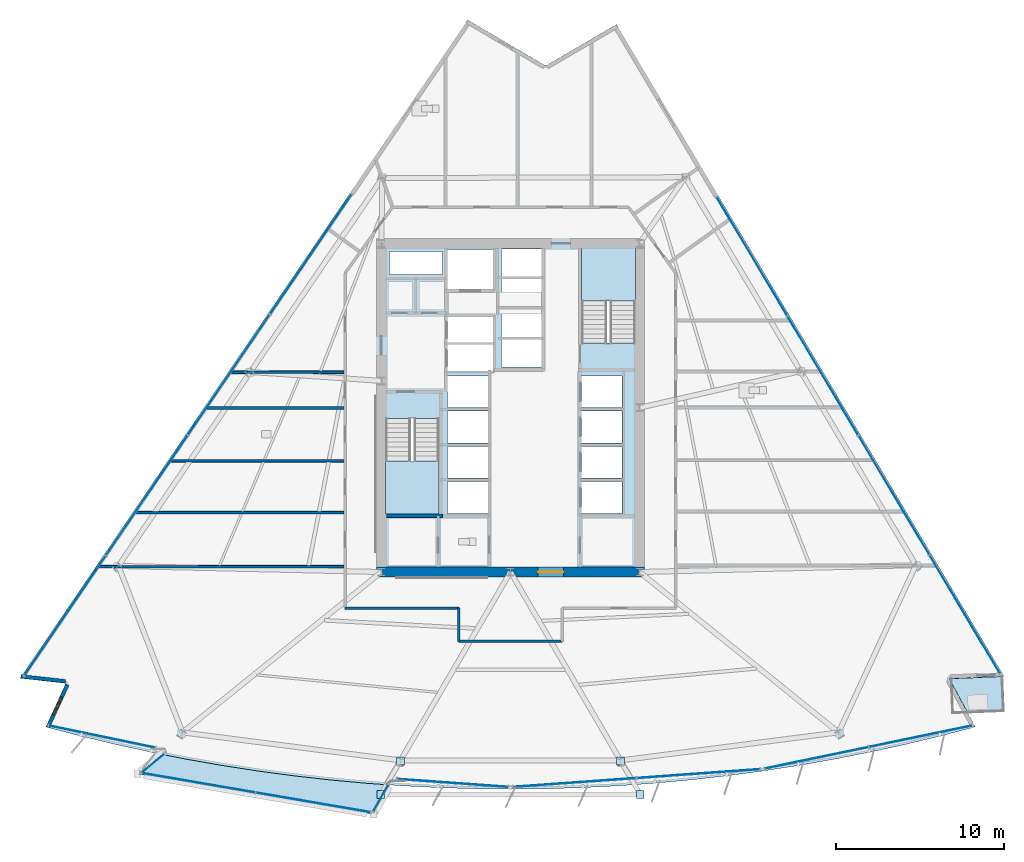
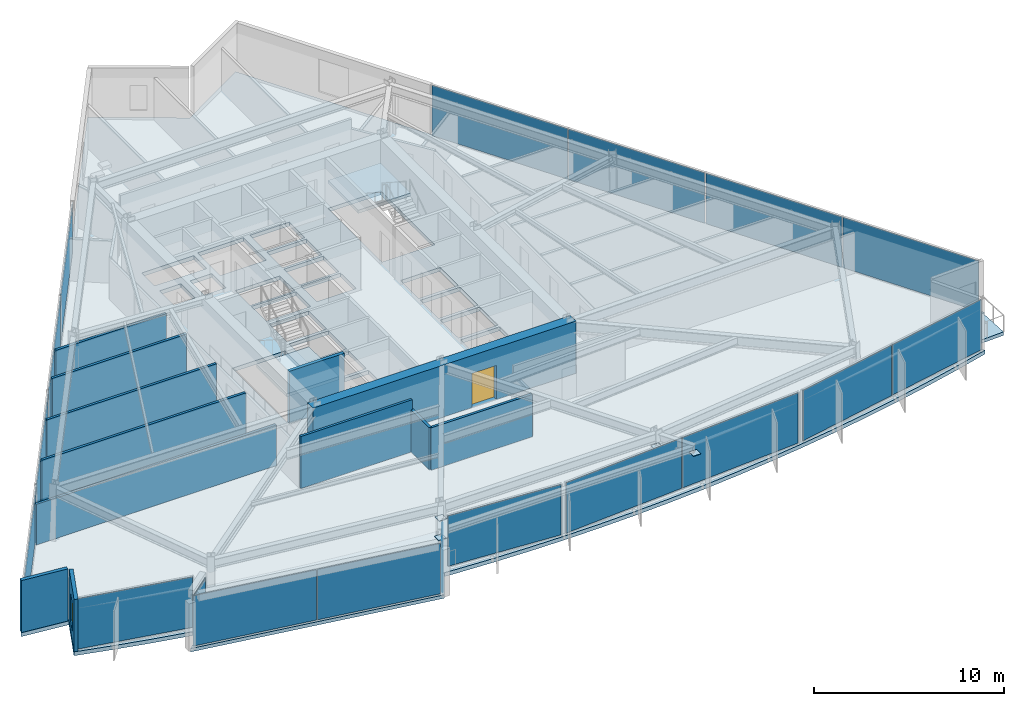
# One storey, part 8 of 17: 22 plates, 12 walls, 5 slabs, 1 door, 1 window, 2 openings, 11 elements without a shape of their own.
"""IFC4 building model written with IfcOpenShell, lengths in metres."""

import ifcopenshell
import ifcopenshell.guid

model = None  # the IFC model being written
_history = None  # IfcOwnerHistory: only IFC2X3 demands one
_inside = {}  # id of a spatial element -> (the spatial element, [elements in it])
_under = {}  # id of a project, library or spatial element -> (it, [spatial elements below it])
_declared = {}  # id of a project -> (the project, [libraries it declares])
_typed = {}  # id of a type object -> (the type object, [elements of that type])
_made_of = {}  # id of a material, layer set ... -> (it, [elements and type objects made of it])


def new_model(schema):
    """Start an empty IFC model of exactly this schema.

    Asked for "IFC4X3", IfcOpenShell would pick the latest addendum, in which some entities
    have other attributes; the version numbers below select the first issue.
    IFC2X3 requires an IfcOwnerHistory on every rooted entity: one is made here for all.
    """
    global model, _history
    if schema == "IFC4X3":
        model = ifcopenshell.file(schema_version=(4, 3, 0, 0))
    else:
        model = ifcopenshell.file(schema=schema)
    _inside.clear()
    _under.clear()
    _declared.clear()
    _typed.clear()
    _made_of.clear()
    _history = None
    if model.schema == "IFC2X3":
        org = make("IfcOrganization", Name="unknown")
        user = make(
            "IfcPersonAndOrganization",
            ThePerson=make("IfcPerson", FamilyName="unknown"),
            TheOrganization=org,
        )
        app = make(
            "IfcApplication",
            ApplicationDeveloper=org,
            Version="unknown",
            ApplicationFullName="unknown",
            ApplicationIdentifier="unknown",
        )
        _history = make(
            "IfcOwnerHistory",
            OwningUser=user,
            OwningApplication=app,
            ChangeAction="ADDED",
            CreationDate=0,
        )
    return model


def make(cls, **values):
    """One entity of the class cls with the attributes given. An attribute that is None is left unset."""
    return model.create_entity(
        cls, **{name: value for name, value in values.items() if value is not None}
    )


def rooted(cls, **values):
    """An entity with a GlobalId (a new one), such as an element, a storey or a relation."""
    return make(cls, GlobalId=ifcopenshell.guid.new(), OwnerHistory=_history, **values)


def si_unit(unit_type, name, prefix=None):
    """IfcSIUnit, for example si_unit("LENGTHUNIT", "METRE", prefix="MILLI")."""
    return make("IfcSIUnit", UnitType=unit_type, Prefix=prefix, Name=name)


def assignment(units):
    """IfcUnitAssignment: the units of a project."""
    return None if units is None else make("IfcUnitAssignment", Units=units)


def point(xyz):
    """IfcCartesianPoint."""
    return None if xyz is None else make("IfcCartesianPoint", Coordinates=xyz)


def direction(xyz):
    """IfcDirection."""
    return None if xyz is None else make("IfcDirection", DirectionRatios=xyz)


def frame(location, z_axis=None, x_axis=None):
    """IfcAxis2Placement3D, a coordinate frame: its origin and axes. An axis left out is left unset."""
    return make(
        "IfcAxis2Placement3D",
        Location=point(location),
        Axis=direction(z_axis),
        RefDirection=direction(x_axis),
    )


def frame_2d(location, x_axis=None):
    """IfcAxis2Placement2D, a coordinate frame in the plane: its origin and x axis."""
    return make(
        "IfcAxis2Placement2D", Location=point(location), RefDirection=direction(x_axis)
    )


def origin():
    """The frame at (0, 0, 0) with its axes left unset."""
    return frame((0.0, 0.0, 0.0))


def origin_2d():
    """The frame at (0, 0) in the plane with its x axis left unset."""
    return frame_2d((0.0, 0.0))


def place(relative_to, where):
    """IfcLocalPlacement: puts the frame where relative to a parent placement (None: the world)."""
    return make(
        "IfcLocalPlacement", PlacementRelTo=relative_to, RelativePlacement=where
    )


def context(
    kind, dimensions, precision=None, world=None, true_north=None, identifier=None
):
    """IfcGeometricRepresentationContext, for example the 3D "Model" context."""
    return make(
        "IfcGeometricRepresentationContext",
        ContextIdentifier=identifier,
        ContextType=kind,
        CoordinateSpaceDimension=dimensions,
        Precision=precision,
        WorldCoordinateSystem=world,
        TrueNorth=true_north,
    )


def subcontext(parent, identifier, kind, view, scale=None):
    """IfcGeometricRepresentationSubContext, for example "Body" below "Model"."""
    return make(
        "IfcGeometricRepresentationSubContext",
        ContextIdentifier=identifier,
        ContextType=kind,
        ParentContext=parent,
        TargetScale=scale,
        TargetView=view,
    )


def project(units=None, contexts=None):
    """IfcProject with its units and contexts."""
    return rooted(
        "IfcProject",
        Name="project",
        RepresentationContexts=contexts,
        UnitsInContext=assignment(units),
    )


def spatial(cls, under=None, at=None, **own):
    """A site, building, storey or space (cls), placed at a placement, below another one or the project."""
    s = rooted(cls, ObjectPlacement=at, **own)
    if under is not None:
        _under.setdefault(under.id(), (under, []))[1].append(s)
    return s


def polyline(points):
    """IfcPolyline through the points."""
    return make("IfcPolyline", Points=[point(p) for p in points])


def profile(cls, at=None, kind="AREA", **sizes):
    """A parametric profile (cls). Its sizes go by their IFC names, for example OverallWidth=200.0."""
    return make(cls, ProfileType=kind, Position=at, **sizes)


def rectangle(**sizes):
    """IfcRectangleProfileDef."""
    return profile("IfcRectangleProfileDef", **sizes)


def outline(outer, holes=None, kind="AREA"):
    """IfcArbitraryClosedProfileDef: a profile drawn as a closed curve; with holes, ...WithVoids."""
    if holes is None:
        return make("IfcArbitraryClosedProfileDef", ProfileType=kind, OuterCurve=outer)
    return make(
        "IfcArbitraryProfileDefWithVoids",
        ProfileType=kind,
        OuterCurve=outer,
        InnerCurves=holes,
    )


def extrude(swept, where, along, depth):
    """IfcExtrudedAreaSolid: the profile swept, set in the frame where, extruded along a direction by depth."""
    return make(
        "IfcExtrudedAreaSolid",
        SweptArea=swept,
        Position=where,
        ExtrudedDirection=direction(along),
        Depth=depth,
    )


def shape(context_of_items, identifier, shape_type, items):
    """IfcShapeRepresentation: the items that make up one representation, for example the "Body"."""
    return make(
        "IfcShapeRepresentation",
        ContextOfItems=context_of_items,
        RepresentationIdentifier=identifier,
        RepresentationType=shape_type,
        Items=items,
    )


def material(Name=None, Category=None):
    """IfcMaterial."""
    return make("IfcMaterial", Name=Name, Category=Category)


def layer(
    of_material, thickness, ventilated=None, Name=None, Category=None, Priority=None
):
    """IfcMaterialLayer: one layer of a wall or slab, of a material (None: an air gap)."""
    return make(
        "IfcMaterialLayer",
        Material=of_material,
        LayerThickness=thickness,
        IsVentilated=ventilated,
        Name=Name,
        Category=Category,
        Priority=Priority,
    )


def layer_set(layers, Name=None):
    """IfcMaterialLayerSet."""
    return make("IfcMaterialLayerSet", MaterialLayers=layers, LayerSetName=Name)


def made_of(thing, what):
    """Note that an element or type object is made of a material, layer set ...; save() writes the relation."""
    if what is not None:
        _made_of.setdefault(what.id(), (what, []))[1].append(thing)
    return thing


def type_object(cls, material=None, **own):
    """A type object (cls), such as IfcWallType, which elements share."""
    return made_of(rooted(cls, **own), material)


def element(
    cls,
    number,
    at=None,
    inside=None,
    cuts=None,
    type_object=None,
    material=None,
    context=None,
    identifier="Body",
    shape_type=None,
    held_by="IfcProductDefinitionShape",
    body=None,
    shapes=None,
    **own,
):
    """One element of the class cls, such as IfcWall. Its Tag is "e" and its number.

    at: its placement. inside: the storey or other place that contains it. cuts: it is an
    opening in that element (IfcRelVoidsElement). A single representation is given by context,
    identifier, shape_type and body (its items); several are given by shapes. held_by: the class
    of the entity that holds the representations. save() writes the other relations.
    """
    e = rooted(cls, Tag="e%d" % number, ObjectPlacement=at, **own)
    if body is not None:
        shapes = [shape(context, identifier, shape_type, body)]
    if shapes is not None:
        e.Representation = make(held_by, Representations=shapes)
    if inside is not None:
        _inside.setdefault(inside.id(), (inside, []))[1].append(e)
    if cuts is not None:
        rooted(
            "IfcRelVoidsElement", RelatingBuildingElement=cuts, RelatedOpeningElement=e
        )
    if type_object is not None:
        _typed.setdefault(type_object.id(), (type_object, []))[1].append(e)
    return made_of(e, material)


def fill(opening, filler):
    """IfcRelFillsElement: the door or window that sits in an opening."""
    return rooted(
        "IfcRelFillsElement",
        RelatingOpeningElement=opening,
        RelatedBuildingElement=filler,
    )


def aggregate(whole, parts):
    """IfcRelAggregates: a whole, such as a stair, and the parts it consists of."""
    return rooted("IfcRelAggregates", RelatingObject=whole, RelatedObjects=parts)


def save(model, path):
    """Write the relations noted so far, then the file.

    IfcRelAggregates (storeys below a building ...), IfcRelContainedInSpatialStructure (elements
    in a storey), IfcRelDefinesByType, IfcRelAssociatesMaterial and IfcRelDeclares: one each for
    every whole, place, type object, material and project.
    """
    for whole, parts in _under.values():
        aggregate(whole, parts)
    for where, things in _inside.values():
        rooted(
            "IfcRelContainedInSpatialStructure",
            RelatedElements=things,
            RelatingStructure=where,
        )
    for kind, things in _typed.values():
        rooted("IfcRelDefinesByType", RelatedObjects=things, RelatingType=kind)
    for what, things in _made_of.values():
        rooted("IfcRelAssociatesMaterial", RelatedObjects=things, RelatingMaterial=what)
    for by, libraries in _declared.values():
        rooted("IfcRelDeclares", RelatingContext=by, RelatedDefinitions=libraries)
    model.write(path)


model = new_model("IFC4")

# Units and contexts
model_context = context("Model", 3, precision=1e-05, world=origin(), true_north=direction((0.0, 1.0)))
body_context = subcontext(model_context, "Body", "Model", "MODEL_VIEW")
ifc_project = project(units=[si_unit("LENGTHUNIT", "METRE"), si_unit("AREAUNIT", "SQUARE_METRE"), si_unit("VOLUMEUNIT", "CUBIC_METRE"), si_unit("PLANEANGLEUNIT", "RADIAN"), si_unit("MASSUNIT", "GRAM", prefix="KILO")], contexts=[model_context])

# Site, building, storey
site_placement = place(None, origin())
site = spatial("IfcSite", under=ifc_project, at=site_placement, CompositionType="ELEMENT")
building_placement = place(site_placement, origin())
building = spatial("IfcBuilding", under=site, at=building_placement, Name="Savorim Split Tower", CompositionType="ELEMENT")
storey_placement = place(building_placement, frame((0.0, 0.0, 62.39990234375)))
storey = spatial("IfcBuildingStorey", under=building, at=storey_placement, Name="L16", CompositionType="ELEMENT", Elevation=62.39990234375)

# Curtain wall, plate
ifc_material_1 = material(Name="Dark Ceramic-Fritted Insulated Glass", Category="glass")
curtain_wall_type_1 = type_object("IfcCurtainWallType", Name="CW-TWR-FRIT-A", PredefinedType="NOTDEFINED", material=ifc_material_1)
curtain_wall_1_placement = place(storey_placement, origin())
curtain_wall_1 = element("IfcCurtainWall", 1, at=curtain_wall_1_placement, inside=storey, type_object=curtain_wall_type_1, Name="L16 Curtain Wall CW-L16-SF1A", PredefinedType="NOTDEFINED")
ifc_layer_1 = layer(ifc_material_1, 0.028076171875)
ifc_layer_set_1 = layer_set([ifc_layer_1], Name="CWP-FRITA-28")
plate_type_1 = type_object("IfcPlateType", Name="CWP-FRITA-28", PredefinedType="CURTAIN_PANEL", material=ifc_layer_set_1)
plate_1_placement = place(storey_placement, frame((-24.37451171875, -19.212890625, 0.05517578125), z_axis=(0.0, 0.0, 1.0), x_axis=(0.979135263748, -0.203209584628, 0.0)))
plate_1 = element("IfcPlate", 2, at=plate_1_placement, type_object=plate_type_1, Name="CW-02 panel 1.1", PredefinedType="CURTAIN_PANEL", context=body_context, shape_type="SweptSolid", body=[
    extrude(rectangle(XDim=6.450439453125, YDim=0.028076171875, at=origin_2d()), origin(), (0.0, 0.0, 1.0), 3.239990234375),
])
aggregate(curtain_wall_1, [plate_1])

curtain_wall_2_placement = place(storey_placement, origin())
curtain_wall_2 = element("IfcCurtainWall", 3, at=curtain_wall_2_placement, inside=storey, type_object=curtain_wall_type_1, Name="L16 Curtain Wall CW-L16-SF2A", PredefinedType="NOTDEFINED")
plate_2_placement = place(storey_placement, frame((-3.45947265625, -21.98193359375, 0.05517578125), z_axis=(0.0, 0.0, 1.0), x_axis=(0.997436404283, -0.071558503422, 0.0)))
plate_2 = element("IfcPlate", 4, at=plate_2_placement, type_object=plate_type_1, Name="CW-02 panel 1.1", PredefinedType="CURTAIN_PANEL", context=body_context, shape_type="SweptSolid", body=[
    extrude(rectangle(XDim=6.6240234375, YDim=0.028076171875, at=origin_2d()), origin(), (0.0, 0.0, 1.0), 3.239990234375),
])
aggregate(curtain_wall_2, [plate_2])

# Curtain wall, plates
curtain_wall_3_placement = place(storey_placement, origin())
curtain_wall_3 = element("IfcCurtainWall", 5, at=curtain_wall_3_placement, inside=storey, type_object=curtain_wall_type_1, Name="L16 Curtain Wall CW-L16-SF3A", PredefinedType="NOTDEFINED")
plate_3_placement = place(storey_placement, frame((3.8203125, -21.9560546875, 0.05517578125), z_axis=(0.0, 0.0, 1.0), x_axis=(0.99743638956, 0.071558708634, 0.0)))
plate_3 = element("IfcPlate", 6, at=plate_3_placement, type_object=plate_type_1, Name="CW-02 panel 1.1", PredefinedType="CURTAIN_PANEL", context=body_context, shape_type="SweptSolid", body=[
    extrude(rectangle(XDim=7.347412109375, YDim=0.028076171875, at=origin_2d()), origin(), (0.0, 0.0, 1.0), 3.239990234375),
])
plate_4_placement = place(storey_placement, frame((11.2138671875, -21.425537109375, 0.05517578125), z_axis=(0.0, 0.0, 1.0), x_axis=(0.99743638956, 0.071558708634, 0.0)))
plate_4 = element("IfcPlate", 7, at=plate_4_placement, type_object=plate_type_1, Name="CW-02 panel 2.1", PredefinedType="CURTAIN_PANEL", context=body_context, shape_type="SweptSolid", body=[
    extrude(rectangle(XDim=7.347412109375, YDim=0.028076171875, at=origin_2d()), origin(), (0.0, 0.0, 1.0), 3.239990234375),
])
aggregate(curtain_wall_3, [plate_3, plate_4])

curtain_wall_4_placement = place(storey_placement, origin())
curtain_wall_4 = element("IfcCurtainWall", 8, at=curtain_wall_4_placement, inside=storey, type_object=curtain_wall_type_1, Name="L16 Curtain Wall CW-L16-SF4A", PredefinedType="NOTDEFINED")
plate_5_placement = place(storey_placement, frame((18.258544921875, -20.482421875, 0.05517578125), z_axis=(0.0, 0.0, 1.0), x_axis=(0.979133896415, 0.203216172809, 0.0)))
plate_5 = element("IfcPlate", 9, at=plate_5_placement, type_object=plate_type_1, Name="CW-02 panel 1.1", PredefinedType="CURTAIN_PANEL", context=body_context, shape_type="SweptSolid", body=[
    extrude(rectangle(XDim=6.27099609375, YDim=0.028076171875, at=origin_2d()), origin(), (0.0, 0.0, 1.0), 3.239990234375),
])
plate_6_placement = place(storey_placement, frame((24.46240234375, -19.19482421875, 0.05517578125), z_axis=(0.0, 0.0, 1.0), x_axis=(0.979133896415, 0.203216172809, 0.0)))
plate_6 = element("IfcPlate", 10, at=plate_6_placement, type_object=plate_type_1, Name="CW-02 panel 2.1", PredefinedType="CURTAIN_PANEL", context=body_context, shape_type="SweptSolid", body=[
    extrude(rectangle(XDim=6.27099609375, YDim=0.028076171875, at=origin_2d()), origin(), (0.0, 0.0, 1.0), 3.239990234375),
])
aggregate(curtain_wall_4, [plate_5, plate_6])

curtain_wall_5_placement = place(storey_placement, origin())
curtain_wall_5 = element("IfcCurtainWall", 11, at=curtain_wall_5_placement, inside=storey, type_object=curtain_wall_type_1, Name="L16 Curtain Wall CW-L16-EAST", PredefinedType="NOTDEFINED")
plate_7_placement = place(storey_placement, frame((27.0947265625, -11.918701171875, 0.05517578125), z_axis=(0.0, 0.0, 1.0), x_axis=(-0.511092320583, 0.859525822673, 0.0)))
plate_7 = element("IfcPlate", 12, at=plate_7_placement, type_object=plate_type_1, Name="CW-02 panel 1.1", PredefinedType="CURTAIN_PANEL", context=body_context, shape_type="SweptSolid", body=[
    extrude(rectangle(XDim=8.18896484375, YDim=0.028076171875, at=origin_2d()), origin(), (0.0, 0.0, 1.0), 3.239990234375),
])
plate_8_placement = place(storey_placement, frame((22.867919921875, -4.81005859375, 0.05517578125), z_axis=(0.0, 0.0, 1.0), x_axis=(-0.511092320583, 0.859525822673, 0.0)))
plate_8 = element("IfcPlate", 13, at=plate_8_placement, type_object=plate_type_1, Name="CW-02 panel 2.1", PredefinedType="CURTAIN_PANEL", context=body_context, shape_type="SweptSolid", body=[
    extrude(rectangle(XDim=8.221435546875, YDim=0.028076171875, at=origin_2d()), origin(), (0.0, 0.0, 1.0), 3.239990234375),
])
plate_9_placement = place(storey_placement, frame((18.632568359375, 2.3125, 0.05517578125), z_axis=(0.0, 0.0, 1.0), x_axis=(-0.511092320583, 0.859525822673, 0.0)))
plate_9 = element("IfcPlate", 14, at=plate_9_placement, type_object=plate_type_1, Name="CW-02 panel 3.1", PredefinedType="CURTAIN_PANEL", context=body_context, shape_type="SweptSolid", body=[
    extrude(rectangle(XDim=8.221435546875, YDim=0.028076171875, at=origin_2d()), origin(), (0.0, 0.0, 1.0), 3.239990234375),
])
plate_10_placement = place(storey_placement, frame((14.40576171875, 9.4208984375, 0.05517578125), z_axis=(0.0, 0.0, 1.0), x_axis=(-0.511092320583, 0.859525822673, 0.0)))
plate_10 = element("IfcPlate", 15, at=plate_10_placement, type_object=plate_type_1, Name="CW-02 panel 4.1", PredefinedType="CURTAIN_PANEL", context=body_context, shape_type="SweptSolid", body=[
    extrude(rectangle(XDim=8.18896484375, YDim=0.028076171875, at=origin_2d()), origin(), (0.0, 0.0, 1.0), 3.239990234375),
])
aggregate(curtain_wall_5, [plate_7, plate_8, plate_9, plate_10])

curtain_wall_6_placement = place(storey_placement, origin())
curtain_wall_6 = element("IfcCurtainWall", 16, at=curtain_wall_6_placement, inside=storey, type_object=curtain_wall_type_1, Name="L16 Curtain Wall CW-L16-WEST", PredefinedType="NOTDEFINED")
plate_11_placement = place(storey_placement, frame((-11.907470703125, 9.5517578125, 0.05517578125), z_axis=(0.0, 0.0, 1.0), x_axis=(-0.562466356423, -0.826820172644, 0.0)))
plate_11 = element("IfcPlate", 17, at=plate_11_placement, type_object=plate_type_1, Name="CW-02 panel 1.1", PredefinedType="CURTAIN_PANEL", context=body_context, shape_type="SweptSolid", body=[
    extrude(rectangle(XDim=8.606201171875, YDim=0.028076171875, at=origin_2d()), origin(), (0.0, 0.0, 1.0), 3.239990234375),
])
plate_12_placement = place(storey_placement, frame((-16.7939453125, 2.368896484375, 0.05517578125), z_axis=(0.0, 0.0, 1.0), x_axis=(-0.562466356423, -0.826820172644, 0.0)))
plate_12 = element("IfcPlate", 18, at=plate_12_placement, type_object=plate_type_1, Name="CW-02 panel 2.1", PredefinedType="CURTAIN_PANEL", context=body_context, shape_type="SweptSolid", body=[
    extrude(rectangle(XDim=8.638671875, YDim=0.028076171875, at=origin_2d()), origin(), (0.0, 0.0, 1.0), 3.239990234375),
])
plate_13_placement = place(storey_placement, frame((-21.689453125, -4.82763671875, 0.05517578125), z_axis=(0.0, 0.0, 1.0), x_axis=(-0.562466356423, -0.826820172644, 0.0)))
plate_13 = element("IfcPlate", 19, at=plate_13_placement, type_object=plate_type_1, Name="CW-02 panel 3.1", PredefinedType="CURTAIN_PANEL", context=body_context, shape_type="SweptSolid", body=[
    extrude(rectangle(XDim=8.638671875, YDim=0.028076171875, at=origin_2d()), origin(), (0.0, 0.0, 1.0), 3.239990234375),
])
plate_14_placement = place(storey_placement, frame((-26.57568359375, -12.010498046875, 0.05517578125), z_axis=(0.0, 0.0, 1.0), x_axis=(-0.562466356423, -0.826820172644, 0.0)))
plate_14 = element("IfcPlate", 20, at=plate_14_placement, type_object=plate_type_1, Name="CW-02 panel 4.1", PredefinedType="CURTAIN_PANEL", context=body_context, shape_type="SweptSolid", body=[
    extrude(rectangle(XDim=8.606201171875, YDim=0.028076171875, at=origin_2d()), origin(), (0.0, 0.0, 1.0), 3.239990234375),
])
aggregate(curtain_wall_6, [plate_11, plate_12, plate_13, plate_14])

curtain_wall_type_2 = type_object("IfcCurtainWallType", Name="CW-BAY-LOUNGE", PredefinedType="NOTDEFINED", material=ifc_material_1)
curtain_wall_7_placement = place(storey_placement, origin())
curtain_wall_7 = element("IfcCurtainWall", 21, at=curtain_wall_7_placement, inside=storey, type_object=curtain_wall_type_2, Name="L16 Curtain Wall CW-L16-BAYF", PredefinedType="NOTDEFINED")
ifc_material_2 = material(Name="Low-E Operable Double Glazing", Category="glass")
ifc_layer_2 = layer(ifc_material_2, 0.031982421875)
ifc_layer_set_2 = layer_set([ifc_layer_2], Name="CWP-POD-32")
plate_type_2 = type_object("IfcPlateType", Name="CWP-POD-32", PredefinedType="CURTAIN_PANEL", material=ifc_layer_set_2)
plate_15_placement = place(storey_placement, frame((-18.64404296875, -21.964599609375, 0.05517578125), z_axis=(0.0, 0.0, 1.0), x_axis=(0.985629301473, -0.168922704446, 0.0)))
plate_15 = element("IfcPlate", 22, at=plate_15_placement, type_object=plate_type_2, Name="CW-04 panel 1.1", PredefinedType="CURTAIN_PANEL", context=body_context, shape_type="SweptSolid", body=[
    extrude(rectangle(XDim=6.924072265625, YDim=0.031982421875, at=origin_2d()), origin(), (0.0, 0.0, 1.0), 3.239990234375),
])
plate_16_placement = place(storey_placement, frame((-11.75537109375, -23.145263671875, 0.05517578125), z_axis=(0.0, 0.0, 1.0), x_axis=(0.985629301473, -0.168922704446, 0.0)))
plate_16 = element("IfcPlate", 23, at=plate_16_placement, type_object=plate_type_2, Name="CW-04 panel 2.1", PredefinedType="CURTAIN_PANEL", context=body_context, shape_type="SweptSolid", body=[
    extrude(rectangle(XDim=6.924072265625, YDim=0.031982421875, at=origin_2d()), origin(), (0.0, 0.0, 1.0), 3.239990234375),
])
aggregate(curtain_wall_7, [plate_15, plate_16])

# Curtain wall, plate
curtain_wall_8_placement = place(storey_placement, origin())
curtain_wall_8 = element("IfcCurtainWall", 24, at=curtain_wall_8_placement, inside=storey, type_object=curtain_wall_type_2, Name="L16 Curtain Wall CW-L16-BAYW", PredefinedType="NOTDEFINED")
plate_17_placement = place(storey_placement, frame((-21.326904296875, -20.808349609375, 0.05517578125), z_axis=(0.0, 0.0, 1.0), x_axis=(-0.770361091507, -0.637607864358, 0.0)))
plate_17 = element("IfcPlate", 25, at=plate_17_placement, type_object=plate_type_2, Name="CW-04 panel 1.1", PredefinedType="CURTAIN_PANEL", context=body_context, shape_type="SweptSolid", body=[
    extrude(rectangle(XDim=1.705078125, YDim=0.031982421875, at=origin_2d()), origin(), (0.0, 0.0, 1.0), 3.239990234375),
])
aggregate(curtain_wall_8, [plate_17])

curtain_wall_9_placement = place(storey_placement, origin())
curtain_wall_9 = element("IfcCurtainWall", 26, at=curtain_wall_9_placement, inside=storey, type_object=curtain_wall_type_2, Name="L16 Curtain Wall CW-L16-BAYE", PredefinedType="NOTDEFINED")
plate_18_placement = place(storey_placement, frame((-7.73779296875, -22.879150390625, 0.05517578125), z_axis=(0.0, 0.0, 1.0), x_axis=(0.492259363735, 0.870448573332, 0.0)))
plate_18 = element("IfcPlate", 27, at=plate_18_placement, type_object=plate_type_2, Name="CW-04 panel 1.1", PredefinedType="CURTAIN_PANEL", context=body_context, shape_type="SweptSolid", body=[
    extrude(rectangle(XDim=1.81005859375, YDim=0.031982421875, at=origin_2d()), origin(), (0.0, 0.0, 1.0), 3.239990234375),
])
aggregate(curtain_wall_9, [plate_18])

# Plates
ifc_material_3 = material(Name="Steel S460", Category="steel")
ifc_layer_3 = layer(ifc_material_3, 0.02490234375)
ifc_layer_set_3 = layer_set([ifc_layer_3], Name="PLT-NODE-CN1")
plate_type_3 = type_object("IfcPlateType", Name="PLT-NODE-CN1", PredefinedType="SHEET", material=ifc_layer_set_3)
for number, where, z_axis, x_axis, name in (
    (28, (-6.566162109375, -20.675537109375, 2.437744140625), (0.0, 0.0, 1.0), (1.0, 0.0, 0.0), "L16 Bay Strut Column Gusset Plate 1"),
    (29, (-7.742919921875, -22.664794921875, 2.8076171875), (0.0, 0.0, 1.0), (1.0, 0.0, 0.0), "L16 Bay Strut Tip Gusset Plate 1"),
    (30, (6.566162109375, -20.675537109375, 2.437744140625), (0.0, 0.0, 1.0), (1.0, 0.0, 0.0), "L16 Bay Strut Column Gusset Plate 2"),
    (31, (7.742919921875, -22.664794921875, 2.8076171875), (0.0, 0.0, 1.0), (1.0, 0.0, 0.0), "L16 Bay Strut Tip Gusset Plate 2"),
):
    element("IfcPlate", number, at=place(storey_placement, frame(where, z_axis=z_axis, x_axis=x_axis)), inside=storey, type_object=plate_type_3, Name=name, PredefinedType="SHEET", context=body_context, shape_type="SweptSolid", body=[
        extrude(rectangle(XDim=0.4599609375, YDim=0.4599609375, at=origin_2d()), origin(), (0.0, 0.0, 1.0), 0.02490234375),
    ])

# Slabs
ifc_material_4 = material(Name="Concrete C50/60", Category="concrete")
ifc_layer_4 = layer(ifc_material_4, 0.219970703125)
ifc_layer_set_4 = layer_set([ifc_layer_4], Name="SLB-BAL-220")
slab_type_1 = type_object("IfcSlabType", Name="SLB-BAL-220", PredefinedType="FLOOR", material=ifc_layer_set_4)
slab_1_placement = place(storey_placement, frame((0.0, 0.0, -0.219970703125)))
element("IfcSlab", 32, at=slab_1_placement, inside=storey, type_object=slab_type_1, Name="L16 Cantilevered Shared Kitchen Lounge Slab", PredefinedType="FLOOR", context=body_context, shape_type="SweptSolid", body=[
    extrude(outline(polyline([(-7.1826171875, -22.1005859375), (-8.62060546875, -21.997314453125), (-10.768798828125, -21.799072265625), (-12.912841796875, -21.556640625), (-15.05126953125, -21.2705078125), (-17.183349609375, -20.940673828125), (-19.308349609375, -20.5673828125), (-20.830322265625, -20.267578125), (-22.255615234375, -21.447021484375), (-8.177490234375, -23.85986328125), (-7.1826171875, -22.1005859375)])), origin(), (0.0, 0.0, 1.0), 0.219970703125),
])
slab_2_placement = place(storey_placement, frame((0.0, 0.0, -0.219970703125)))
element("IfcSlab", 33, at=slab_2_placement, inside=storey, type_object=slab_type_1, Name="L16 Notched Corner Planted Tree Balcony Slab", PredefinedType="FLOOR", context=body_context, shape_type="SweptSolid", body=[
    extrude(outline(polyline([(29.31640625, -15.631591796875), (26.29248046875, -15.76025390625), (26.302490234375, -15.991943359375), (27.25439453125, -17.76611328125), (29.4033203125, -17.6748046875), (29.31640625, -15.631591796875)])), origin(), (0.0, 0.0, 1.0), 0.219970703125),
])

# Stair, slab
stair_type = type_object("IfcStairType", Name="STR-DOG-3600", PredefinedType="HALF_TURN_STAIR", material=ifc_material_4)
stair_1_placement = place(storey_placement, origin())
stair_1 = element("IfcStair", 34, at=stair_1_placement, inside=storey, type_object=stair_type, Name="L16 Core Protected Exit Stair ST-1", PredefinedType="HALF_TURN_STAIR")
ifc_layer_5 = layer(ifc_material_4, 0.199951171875)
ifc_layer_set_5 = layer_set([ifc_layer_5], Name="SLB-LND-200")
slab_type_2 = type_object("IfcSlabType", Name="SLB-LND-200", PredefinedType="LANDING", material=ifc_layer_set_5)
slab_3_placement = place(storey_placement, frame((0.0, 0.0, 1.60009765625)))
slab_3 = element("IfcSlab", 35, at=slab_3_placement, type_object=slab_type_2, Name="ST-1 landing 1", PredefinedType="LANDING", context=body_context, shape_type="SweptSolid", body=[
    extrude(outline(polyline([(-7.449951171875, -2.77001953125), (-7.449951171875, -5.949951171875), (-4.25, -5.949951171875), (-4.25, -2.77001953125), (-7.449951171875, -2.77001953125)])), origin(), (0.0, 0.0, 1.0), 0.199951171875),
])
aggregate(stair_1, [slab_3])

stair_2_placement = place(storey_placement, origin())
stair_2 = element("IfcStair", 36, at=stair_2_placement, inside=storey, type_object=stair_type, Name="L16 Core Protected Exit Stair ST-2", PredefinedType="HALF_TURN_STAIR")
slab_4_placement = place(storey_placement, frame((0.0, 0.0, 1.60009765625)))
slab_4 = element("IfcSlab", 37, at=slab_4_placement, type_object=slab_type_2, Name="ST-2 landing 1", PredefinedType="LANDING", context=body_context, shape_type="SweptSolid", body=[
    extrude(outline(polyline([(7.449951171875, 6.77001953125), (7.449951171875, 9.949951171875), (4.25, 9.949951171875), (4.25, 6.77001953125), (7.449951171875, 6.77001953125)])), origin(), (0.0, 0.0, 1.0), 0.199951171875),
])
aggregate(stair_2, [slab_4])

# Slab
ifc_layer_6 = layer(ifc_material_4, 0.25)
ifc_layer_set_6 = layer_set([ifc_layer_6], Name="SLB-TWR-250")
slab_type_3 = type_object("IfcSlabType", Name="SLB-TWR-250", PredefinedType="FLOOR", material=ifc_layer_set_6)
slab_5_placement = place(storey_placement, frame((0.0, 0.0, -0.25)))
element("IfcSlab", 38, at=slab_5_placement, inside=storey, type_object=slab_type_3, Name="L16 Structural Floor Slab", PredefinedType="FLOOR", context=body_context, shape_type="SweptSolid", body=[
    extrude(outline(polyline([(-27.718505859375, -18.6416015625), (-25.631103515625, -19.1875), (-23.533203125, -19.6904296875), (-21.42529296875, -20.150390625), (-19.308349609375, -20.5673828125), (-17.183349609375, -20.940673828125), (-15.05126953125, -21.2705078125), (-12.912841796875, -21.556640625), (-10.768798828125, -21.799072265625), (-8.62060546875, -21.997314453125), (-6.468505859375, -22.15185546875), (-4.31396484375, -22.26220703125), (-2.157470703125, -22.328369140625), (0.0, -22.350341796875), (2.157470703125, -22.328369140625), (4.31396484375, -22.26220703125), (6.468505859375, -22.15185546875), (8.62060546875, -21.997314453125), (10.768798828125, -21.799072265625), (12.912841796875, -21.556640625), (15.05126953125, -21.2705078125), (17.183349609375, -20.940673828125), (19.308349609375, -20.5673828125), (21.42529296875, -20.150390625), (23.533203125, -19.6904296875), (25.631103515625, -19.1875), (27.718505859375, -18.6416015625), (26.17236328125, -15.760498046875), (29.436279296875, -15.62158203125), (6.318603515625, 23.256591796875), (2.098388671875, 20.797119140625), (-2.5458984375, 23.526611328125), (-29.255615234375, -15.736572265625), (-26.523681640625, -16.04150390625), (-27.718505859375, -18.6416015625)]), holes=[polyline([(-7.449951171875, -0.25390625), (-7.449951171875, -5.949951171875), (-4.25, -5.949951171875), (-4.25, -0.25390625), (-7.449951171875, -0.25390625)]), polyline([(7.449951171875, 4.25390625), (7.449951171875, 9.949951171875), (4.25, 9.949951171875), (4.25, 4.25390625), (7.449951171875, 4.25390625)]), polyline([(4.25, -5.89990234375), (6.64990234375, -5.89990234375), (6.64990234375, -4.0), (4.25, -4.0), (4.25, -5.89990234375)]), polyline([(4.25, -3.800048828125), (6.64990234375, -3.800048828125), (6.64990234375, -1.89990234375), (4.25, -1.89990234375), (4.25, -3.800048828125)]), polyline([(4.25, -1.699951171875), (6.64990234375, -1.699951171875), (6.64990234375, 0.199951171875), (4.25, 0.199951171875), (4.25, -1.699951171875)]), polyline([(4.25, 0.39990234375), (6.64990234375, 0.39990234375), (6.64990234375, 2.300048828125), (4.25, 2.300048828125), (4.25, 0.39990234375)]), polyline([(-3.75, -5.89990234375), (-1.35009765625, -5.89990234375), (-1.35009765625, -4.0), (-3.75, -4.0), (-3.75, -5.89990234375)]), polyline([(-3.75, -3.800048828125), (-1.35009765625, -3.800048828125), (-1.35009765625, -1.89990234375), (-3.75, -1.89990234375), (-3.75, -3.800048828125)]), polyline([(-3.75, -1.699951171875), (-1.35009765625, -1.699951171875), (-1.35009765625, 0.199951171875), (-3.75, 0.199951171875), (-3.75, -1.699951171875)]), polyline([(-3.75, 0.39990234375), (-1.35009765625, 0.39990234375), (-1.35009765625, 2.300048828125), (-3.75, 2.300048828125), (-3.75, 0.39990234375)]), polyline([(-0.550048828125, 2.830078125), (1.85009765625, 2.830078125), (1.85009765625, 4.469970703125), (-0.550048828125, 4.469970703125), (-0.550048828125, 2.830078125)]), polyline([(-0.550048828125, 4.6298828125), (1.85009765625, 4.6298828125), (1.85009765625, 6.27001953125), (-0.550048828125, 6.27001953125), (-0.550048828125, 4.6298828125)]), polyline([(-0.550048828125, 6.429931640625), (1.85009765625, 6.429931640625), (1.85009765625, 8.070068359375), (-0.550048828125, 8.070068359375), (-0.550048828125, 6.429931640625)]), polyline([(-0.550048828125, 8.22998046875), (1.85009765625, 8.22998046875), (1.85009765625, 9.8701171875), (-0.550048828125, 9.8701171875), (-0.550048828125, 8.22998046875)]), polyline([(-3.75, 2.60009765625), (-1.050048828125, 2.60009765625), (-1.050048828125, 4.159912109375), (-3.75, 4.159912109375), (-3.75, 2.60009765625)]), polyline([(-3.75, 4.280029296875), (-1.050048828125, 4.280029296875), (-1.050048828125, 5.840087890625), (-3.75, 5.840087890625), (-3.75, 4.280029296875)]), polyline([(-3.75, 7.449951171875), (-0.949951171875, 7.449951171875), (-0.949951171875, 9.85009765625), (-3.75, 9.85009765625), (-3.75, 7.449951171875)]), polyline([(-7.219970703125, 6.320068359375), (-5.919921875, 6.320068359375), (-5.919921875, 7.820068359375), (-7.219970703125, 7.820068359375), (-7.219970703125, 6.320068359375)]), polyline([(-5.3798828125, 6.320068359375), (-4.050048828125, 6.320068359375), (-4.050048828125, 7.820068359375), (-5.3798828125, 7.820068359375), (-5.3798828125, 6.320068359375)]), polyline([(-7.219970703125, 8.360107421875), (-4.050048828125, 8.360107421875), (-4.050048828125, 9.719970703125), (-7.219970703125, 9.719970703125), (-7.219970703125, 8.360107421875)])]), origin(), (0.0, 0.0, 1.0), 0.25),
])

# Wall, opening, door
ifc_material_5 = material(Name="Concrete C60/75", Category="concrete")
ifc_layer_7 = layer(ifc_material_5, 0.60009765625)
ifc_layer_set_7 = layer_set([ifc_layer_7], Name="WAL-COR-SH600")
wall_type_1 = type_object("IfcWallType", Name="WAL-COR-SH600", PredefinedType="SHEAR", material=ifc_layer_set_7)
wall_1_placement = place(storey_placement, frame((-8.0, -9.39990234375, 0.0), z_axis=(0.0, 0.0, 1.0), x_axis=(1.0, 0.0, 0.0)))
wall_1 = element("IfcWall", 39, at=wall_1_placement, inside=storey, type_object=wall_type_1, Name="L16 Offset Core South Shear Wall", PredefinedType="SHEAR", context=body_context, shape_type="SweptSolid", body=[
    extrude(rectangle(XDim=16.0, YDim=0.60009765625, at=frame_2d((8.0, 0.0))), origin(), (0.0, 0.0, 1.0), 3.35009765625),
])
opening_1_placement = place(wall_1_placement, frame((9.64990234375, 0.0, 0.0)))
opening_1 = element("IfcOpeningElement", 40, at=opening_1_placement, cuts=wall_1, Name="Opening DI-02", PredefinedType="OPENING", context=body_context, shape_type="SweptSolid", body=[
    extrude(rectangle(XDim=1.5, YDim=2.199951171875, at=frame_2d((0.75, 1.10009765625))), frame((0.0, 0.31005859375, 0.0), z_axis=(0.0, -1.0, 0.0), x_axis=(1.0, 0.0, 0.0)), (0.0, 0.0, 1.0), 0.6201171875),
])
ifc_material_6 = material(Name="Timber Fire Door Leaf", Category="wood")
door_type = type_object("IfcDoorType", Name="DOR-DBL-1500", OperationType="NOTDEFINED", PredefinedType="DOOR", material=ifc_material_6)
door_placement = place(opening_1_placement, origin())
door = element("IfcDoor", 41, at=door_placement, inside=storey, type_object=door_type, Name="DOR-L16-COR-LLOB - L16 Lift Lobby Main Rated Door", OperationType="DOUBLE_DOOR_SINGLE_SWING", OverallHeight=2.199951171875, OverallWidth=1.5, PredefinedType="DOOR", context=body_context, shape_type="SweptSolid", body=[
    extrude(rectangle(XDim=1.5, YDim=2.199951171875, at=frame_2d((0.75, 1.10009765625))), frame((0.0, 0.02490234375, 0.0), z_axis=(0.0, -1.0, 0.0), x_axis=(1.0, 0.0, 0.0)), (0.0, 0.0, 1.0), 0.050048828125),
])
fill(opening_1, door)

# Wall
ifc_material_7 = material(Name="Precast concrete C40/50", Category="concrete")
ifc_layer_8 = layer(ifc_material_7, 0.219970703125)
ifc_layer_set_8 = layer_set([ifc_layer_8], Name="WAL-EXT-CRN220")
wall_type_2 = type_object("IfcWallType", Name="WAL-EXT-CRN220", PredefinedType="SOLIDWALL", material=ifc_layer_set_8)
wall_2_placement = place(storey_placement, frame((-26.55029296875, -15.917724609375, 0.0), z_axis=(0.0, 0.0, 1.0), x_axis=(-0.993824465748, 0.110963648468, 0.0)))
element("IfcWall", 42, at=wall_2_placement, inside=storey, type_object=wall_type_2, Name="L16 Notched Corner Facade Wall SW1", PredefinedType="SOLIDWALL", context=body_context, shape_type="SweptSolid", body=[
    extrude(rectangle(XDim=2.6689453125, YDim=0.219970703125, at=frame_2d((1.33447265625, 0.0))), origin(), (0.0, 0.0, 1.0), 3.35009765625),
])

# Wall, opening, window
wall_3_placement = place(storey_placement, frame((-27.5927734375, -18.655517578125, 0.0), z_axis=(0.0, 0.0, 1.0), x_axis=(0.417515840695, 0.908669644463, 0.0)))
wall_3 = element("IfcWall", 43, at=wall_3_placement, inside=storey, type_object=wall_type_2, Name="L16 Notched Corner Facade Wall SW", PredefinedType="SOLIDWALL", context=body_context, shape_type="SweptSolid", body=[
    extrude(rectangle(XDim=2.78173828125, YDim=0.219970703125, at=frame_2d((1.390869140625, 0.0))), origin(), (0.0, 0.0, 1.0), 3.35009765625),
])
opening_2_placement = place(wall_3_placement, frame((0.790771484375, 0.0, 0.6201171875)))
opening_2 = element("IfcOpeningElement", 44, at=opening_2_placement, cuts=wall_3, Name="Opening WN-08", PredefinedType="OPENING", context=body_context, shape_type="SweptSolid", body=[
    extrude(rectangle(XDim=1.199951171875, YDim=1.800048828125, at=frame_2d((0.60009765625, 0.89990234375))), frame((0.0, 0.119873046875, 0.0), z_axis=(0.0, -1.0, 0.0), x_axis=(1.0, 0.0, 0.0)), (0.0, 0.0, 1.0), 0.239990234375),
])
window_type = type_object("IfcWindowType", Name="WIN-TWR-1200x1800", PartitioningType="SINGLE_PANEL", PredefinedType="WINDOW", material=ifc_material_2)
window_placement = place(opening_2_placement, origin())
window = element("IfcWindow", 45, at=window_placement, inside=storey, type_object=window_type, Name="L16 Operable Corner Window SW", OverallHeight=1.800048828125, OverallWidth=1.199951171875, PartitioningType="SINGLE_PANEL", PredefinedType="WINDOW", context=body_context, shape_type="SweptSolid", body=[
    extrude(rectangle(XDim=1.199951171875, YDim=1.800048828125, at=frame_2d((0.60009765625, 0.89990234375))), frame((0.0, 0.030029296875, 0.0), z_axis=(0.0, -1.0, 0.0), x_axis=(1.0, 0.0, 0.0)), (0.0, 0.0, 1.0), 0.06005859375),
])
fill(opening_2, window)

# Walls
ifc_layer_9 = layer(ifc_material_4, 0.199951171875)
ifc_layer_set_9 = layer_set([ifc_layer_9], Name="WAL-INT-RC200")
wall_type_3 = type_object("IfcWallType", Name="WAL-INT-RC200", PredefinedType="SOLIDWALL", material=ifc_layer_set_9)
wall_4_placement = place(storey_placement, frame((-7.39990234375, -6.050048828125, 0.0), z_axis=(0.0, 0.0, 1.0), x_axis=(1.0, 0.0, 0.0)))
element("IfcWall", 46, at=wall_4_placement, inside=storey, type_object=wall_type_3, Name="L16 Structural Shaft Wall W-L16-KSEP-W", PredefinedType="SOLIDWALL", context=body_context, shape_type="SweptSolid", body=[
    extrude(rectangle(XDim=3.349853515625, YDim=0.199951171875, at=frame_2d((1.6748046875, 0.0))), origin(), (0.0, 0.0, 1.0), 3.35009765625),
])
ifc_material_8 = material(Name="Acoustic Gypsum Partition Board")
ifc_layer_10 = layer(ifc_material_8, 0.14990234375)
ifc_layer_set_10 = layer_set([ifc_layer_10], Name="WAL-PAR-150")
wall_type_4 = type_object("IfcWallType", Name="WAL-PAR-150", PredefinedType="PARTITIONING", material=ifc_layer_set_10)
wall_5_placement = place(storey_placement, frame((3.080078125, -13.530029296875, 0.0), z_axis=(0.0, 0.0, 1.0), x_axis=(-1.0, 0.0, 0.0)))
element("IfcWall", 47, at=wall_5_placement, inside=storey, type_object=wall_type_4, Name="L16 Partition W-L16-COR-08", PredefinedType="PARTITIONING", context=body_context, shape_type="SweptSolid", body=[
    extrude(rectangle(XDim=6.16015625, YDim=0.14990234375, at=frame_2d((3.080078125, 0.0))), origin(), (0.0, 0.0, 1.0), 2.72509765625),
])
wall_6_placement = place(storey_placement, frame((-3.080078125, -13.530029296875, 0.0), z_axis=(0.0, 0.0, 1.0), x_axis=(0.0, 1.0, 0.0)))
element("IfcWall", 48, at=wall_6_placement, inside=storey, type_object=wall_type_4, Name="L16 Partition W-L16-COR-09", PredefinedType="PARTITIONING", context=body_context, shape_type="SweptSolid", body=[
    extrude(rectangle(XDim=1.969970703125, YDim=0.14990234375, at=frame_2d((0.98486328125, 0.0))), origin(), (0.0, 0.0, 1.0), 2.72509765625),
])
wall_7_placement = place(storey_placement, frame((-3.080078125, -11.56005859375, 0.0), z_axis=(0.0, 0.0, 1.0), x_axis=(-1.0, 0.0, 0.0)))
element("IfcWall", 49, at=wall_7_placement, inside=storey, type_object=wall_type_4, Name="L16 Partition W-L16-COR-10", PredefinedType="PARTITIONING", context=body_context, shape_type="SweptSolid", body=[
    extrude(rectangle(XDim=6.780029296875, YDim=0.14990234375, at=frame_2d((3.39013671875, 0.0))), origin(), (0.0, 0.0, 1.0), 3.35009765625),
])
wall_8_placement = place(storey_placement, frame((-9.919921875, 2.51416015625, 0.0), z_axis=(0.0, 0.0, 1.0), x_axis=(-1.0, 0.0, 0.0)))
element("IfcWall", 50, at=wall_8_placement, inside=storey, type_object=wall_type_4, Name="L16 Partition W-L16-PRAD09", PredefinedType="PARTITIONING", context=body_context, shape_type="SweptSolid", body=[
    extrude(rectangle(XDim=6.714599609375, YDim=0.14990234375, at=frame_2d((3.357421875, 0.0))), origin(), (0.0, 0.0, 1.0), 2.735107421875),
])
wall_9_placement = place(storey_placement, frame((-9.919921875, -9.0771484375, 0.0), z_axis=(0.0, 0.0, 1.0), x_axis=(-1.0, 0.0, 0.0)))
element("IfcWall", 51, at=wall_9_placement, inside=storey, type_object=wall_type_4, Name="L16 Partition W-L16-PRAD10", PredefinedType="PARTITIONING", context=body_context, shape_type="SweptSolid", body=[
    extrude(rectangle(XDim=14.60009765625, YDim=0.14990234375, at=frame_2d((7.300048828125, 0.0))), origin(), (0.0, 0.0, 1.0), 2.609130859375),
])
wall_10_placement = place(storey_placement, frame((-9.919921875, -2.769775390625, 0.0), z_axis=(0.0, 0.0, 1.0), x_axis=(-1.0, 0.0, 0.0)))
element("IfcWall", 52, at=wall_10_placement, inside=storey, type_object=wall_type_4, Name="L16 Partition W-L16-SUB01", PredefinedType="PARTITIONING", context=body_context, shape_type="SweptSolid", body=[
    extrude(rectangle(XDim=10.30908203125, YDim=0.14990234375, at=frame_2d((5.154541015625, 0.0))), origin(), (0.0, 0.0, 1.0), 2.72509765625),
])
wall_11_placement = place(storey_placement, frame((-9.919921875, 0.384033203125, 0.0), z_axis=(0.0, 0.0, 1.0), x_axis=(-1.0, 0.0, 0.0)))
element("IfcWall", 53, at=wall_11_placement, inside=storey, type_object=wall_type_4, Name="L16 Partition W-L16-SUB06", PredefinedType="PARTITIONING", context=body_context, shape_type="SweptSolid", body=[
    extrude(rectangle(XDim=8.16357421875, YDim=0.14990234375, at=frame_2d((4.081787109375, 0.0))), origin(), (0.0, 0.0, 1.0), 2.72509765625),
])
wall_12_placement = place(storey_placement, frame((-9.919921875, -5.8525390625, 0.0), z_axis=(0.0, 0.0, 1.0), x_axis=(-1.0, 0.0, 0.0)))
element("IfcWall", 54, at=wall_12_placement, inside=storey, type_object=wall_type_4, Name="L16 Partition W-L16-SUB07", PredefinedType="PARTITIONING", context=body_context, shape_type="SweptSolid", body=[
    extrude(rectangle(XDim=12.406494140625, YDim=0.14990234375, at=frame_2d((6.203125, 0.0))), origin(), (0.0, 0.0, 1.0), 2.72509765625),
])

save(model, "model.ifc")
